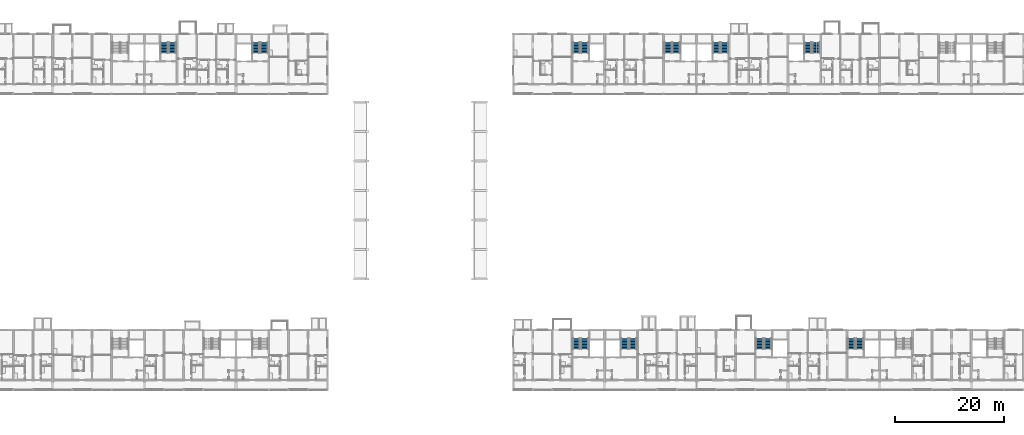
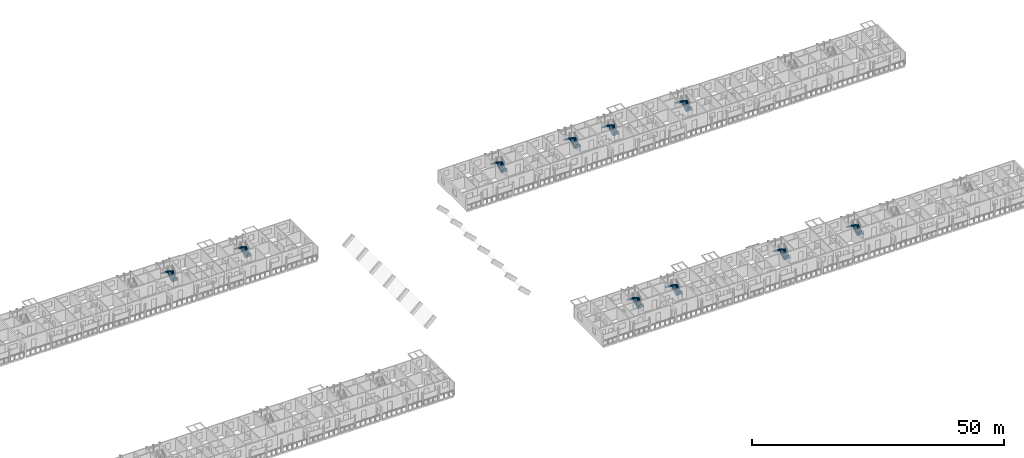
# One storey, part 62 of 98: 20 stair flights, 10 elements without a shape of their own.
"""IFC4 building model written with IfcOpenShell, lengths in metres."""

from ifc_helpers import new_model, si_unit, direction, frame, origin, place, context, subcontext, project, spatial, polyline, outline, extrude, material, type_object, element, aggregate, save


model = new_model("IFC4")

# Units and contexts
model_context = context("Model", 3, precision=1e-05, world=origin(), true_north=direction((0.0, 1.0)))
body_context = subcontext(model_context, "Body", "Model", "MODEL_VIEW")
ifc_project = project(units=[si_unit("LENGTHUNIT", "METRE"), si_unit("AREAUNIT", "SQUARE_METRE"), si_unit("VOLUMEUNIT", "CUBIC_METRE"), si_unit("PLANEANGLEUNIT", "RADIAN"), si_unit("MASSUNIT", "GRAM", prefix="KILO")], contexts=[model_context])

# Site, building, storey
site_placement = place(None, origin())
site = spatial("IfcSite", under=ifc_project, at=site_placement, CompositionType="ELEMENT")
building_placement = place(site_placement, origin())
building = spatial("IfcBuilding", under=site, at=building_placement, Name="Ridgestep Commons", CompositionType="ELEMENT")
storey_placement = place(building_placement, frame((0.0, 0.0, 12.0)))
storey = spatial("IfcBuildingStorey", under=building, at=storey_placement, Name="L04", CompositionType="ELEMENT", Elevation=12.0)

# Stair, stair flights
ifc_material_1 = material(Name="Precast concrete C40/50", Category="concrete")
stair_type = type_object("IfcStairType", Name="Escape stair 1400", PredefinedType="HALF_TURN_STAIR", material=ifc_material_1)
stair_1_placement = place(storey_placement, origin())
stair_1 = element("IfcStair", 1, at=stair_1_placement, inside=storey, type_object=stair_type, Name="L04 Escape stair B5C", PredefinedType="HALF_TURN_STAIR")
ifc_material_2 = material(Name="Precast concrete C40/50", Category="concrete")
stair_flight_type = type_object("IfcStairFlightType", Name="Stair flight 1400", PredefinedType="STRAIGHT", material=ifc_material_2)
stair_flight_1_placement = place(storey_placement, frame((84.375, 73.60009765625, 0.0), z_axis=(0.0, 0.0, 1.0), x_axis=(0.0, 1.0, 0.0)))
stair_flight_1 = element("IfcStairFlight", 2, at=stair_flight_1_placement, type_object=stair_flight_type, Name="B5C flight 1", NumberOfRisers=8, NumberOfTreads=7, PredefinedType="STRAIGHT", RiserHeight=0.1875, TreadLength=0.28, context=body_context, shape_type="SweptSolid", body=[
    extrude(outline(polyline([(0.0, 0.0), (0.0, 0.1875), (0.280029296875, 0.1875), (0.280029296875, 0.375), (0.56005859375, 0.375), (0.56005859375, 0.5625), (0.840087890625, 0.5625), (0.840087890625, 0.75), (1.1201171875, 0.75), (1.1201171875, 0.9375), (1.39990234375, 0.9375), (1.39990234375, 1.125), (1.679931640625, 1.125), (1.679931640625, 1.3125), (1.9599609375, 1.3125), (1.9599609375, 1.5), (1.9599609375, 1.132080078125), (0.26953125, 0.0), (0.0, 0.0)])), frame((0.0, 0.699951171875, 0.0), z_axis=(0.0, -1.0, 0.0), x_axis=(1.0, 0.0, 0.0)), (0.0, 0.0, 1.0), 0.695068359375),
    extrude(outline(polyline([(0.0, 0.0), (0.0, 0.1875), (0.280029296875, 0.1875), (0.280029296875, 0.375), (0.56005859375, 0.375), (0.56005859375, 0.5625), (0.840087890625, 0.5625), (0.840087890625, 0.75), (1.1201171875, 0.75), (1.1201171875, 0.9375), (1.39990234375, 0.9375), (1.39990234375, 1.125), (1.679931640625, 1.125), (1.679931640625, 1.3125), (1.9599609375, 1.3125), (1.9599609375, 1.5), (1.9599609375, 1.132080078125), (0.26953125, 0.0), (0.0, 0.0)])), frame((0.0, -0.0048828125, 0.0), z_axis=(0.0, -1.0, 0.0), x_axis=(1.0, 0.0, 0.0)), (0.0, 0.0, 1.0), 0.695068359375),
])
stair_flight_2_placement = place(storey_placement, frame((82.875, 75.56005859375, 1.5), z_axis=(0.0, 0.0, 1.0), x_axis=(0.0, -1.0, 0.0)))
stair_flight_2 = element("IfcStairFlight", 3, at=stair_flight_2_placement, type_object=stair_flight_type, Name="B5C flight 2", NumberOfRisers=8, NumberOfTreads=7, PredefinedType="STRAIGHT", RiserHeight=0.1875, TreadLength=0.28, context=body_context, shape_type="SweptSolid", body=[
    extrude(outline(polyline([(0.0, 0.0), (0.0, 0.1875), (0.280029296875, 0.1875), (0.280029296875, 0.375), (0.56005859375, 0.375), (0.56005859375, 0.5625), (0.840087890625, 0.5625), (0.840087890625, 0.75), (1.1201171875, 0.75), (1.1201171875, 0.9375), (1.39990234375, 0.9375), (1.39990234375, 1.125), (1.679931640625, 1.125), (1.679931640625, 1.3125), (1.9599609375, 1.3125), (1.9599609375, 1.5), (1.9599609375, 1.132080078125), (0.26953125, 0.0), (0.0, 0.0)])), frame((0.0, 0.699951171875, 0.0), z_axis=(0.0, -1.0, 0.0), x_axis=(1.0, 0.0, 0.0)), (0.0, 0.0, 1.0), 0.695068359375),
    extrude(outline(polyline([(0.0, 0.0), (0.0, 0.1875), (0.280029296875, 0.1875), (0.280029296875, 0.375), (0.56005859375, 0.375), (0.56005859375, 0.5625), (0.840087890625, 0.5625), (0.840087890625, 0.75), (1.1201171875, 0.75), (1.1201171875, 0.9375), (1.39990234375, 0.9375), (1.39990234375, 1.125), (1.679931640625, 1.125), (1.679931640625, 1.3125), (1.9599609375, 1.3125), (1.9599609375, 1.5), (1.9599609375, 1.132080078125), (0.26953125, 0.0), (0.0, 0.0)])), frame((0.0, -0.0048828125, 0.0), z_axis=(0.0, -1.0, 0.0), x_axis=(1.0, 0.0, 0.0)), (0.0, 0.0, 1.0), 0.695068359375),
])
aggregate(stair_1, [stair_flight_1, stair_flight_2])

stair_2_placement = place(storey_placement, origin())
stair_2 = element("IfcStair", 4, at=stair_2_placement, inside=storey, type_object=stair_type, Name="L04 Escape stair B6C", PredefinedType="HALF_TURN_STAIR")
stair_flight_3_placement = place(storey_placement, frame((101.175048828125, 73.60009765625, 0.0), z_axis=(0.0, 0.0, 1.0), x_axis=(0.0, 1.0, 0.0)))
stair_flight_3 = element("IfcStairFlight", 5, at=stair_flight_3_placement, type_object=stair_flight_type, Name="B6C flight 1", NumberOfRisers=8, NumberOfTreads=7, PredefinedType="STRAIGHT", RiserHeight=0.1875, TreadLength=0.28, context=body_context, shape_type="SweptSolid", body=[
    extrude(outline(polyline([(0.0, 0.0), (0.0, 0.1875), (0.280029296875, 0.1875), (0.280029296875, 0.375), (0.56005859375, 0.375), (0.56005859375, 0.5625), (0.840087890625, 0.5625), (0.840087890625, 0.75), (1.1201171875, 0.75), (1.1201171875, 0.9375), (1.39990234375, 0.9375), (1.39990234375, 1.125), (1.679931640625, 1.125), (1.679931640625, 1.3125), (1.9599609375, 1.3125), (1.9599609375, 1.5), (1.9599609375, 1.132080078125), (0.26953125, 0.0), (0.0, 0.0)])), frame((0.0, 0.699951171875, 0.0), z_axis=(0.0, -1.0, 0.0), x_axis=(1.0, 0.0, 0.0)), (0.0, 0.0, 1.0), 0.695068359375),
    extrude(outline(polyline([(0.0, 0.0), (0.0, 0.1875), (0.280029296875, 0.1875), (0.280029296875, 0.375), (0.56005859375, 0.375), (0.56005859375, 0.5625), (0.840087890625, 0.5625), (0.840087890625, 0.75), (1.1201171875, 0.75), (1.1201171875, 0.9375), (1.39990234375, 0.9375), (1.39990234375, 1.125), (1.679931640625, 1.125), (1.679931640625, 1.3125), (1.9599609375, 1.3125), (1.9599609375, 1.5), (1.9599609375, 1.132080078125), (0.26953125, 0.0), (0.0, 0.0)])), frame((0.0, -0.0048828125, 0.0), z_axis=(0.0, -1.0, 0.0), x_axis=(1.0, 0.0, 0.0)), (0.0, 0.0, 1.0), 0.695068359375),
])
stair_flight_4_placement = place(storey_placement, frame((99.675048828125, 75.56005859375, 1.5), z_axis=(0.0, 0.0, 1.0), x_axis=(0.0, -1.0, 0.0)))
stair_flight_4 = element("IfcStairFlight", 6, at=stair_flight_4_placement, type_object=stair_flight_type, Name="B6C flight 2", NumberOfRisers=8, NumberOfTreads=7, PredefinedType="STRAIGHT", RiserHeight=0.1875, TreadLength=0.28, context=body_context, shape_type="SweptSolid", body=[
    extrude(outline(polyline([(0.0, 0.0), (0.0, 0.1875), (0.280029296875, 0.1875), (0.280029296875, 0.375), (0.56005859375, 0.375), (0.56005859375, 0.5625), (0.840087890625, 0.5625), (0.840087890625, 0.75), (1.1201171875, 0.75), (1.1201171875, 0.9375), (1.39990234375, 0.9375), (1.39990234375, 1.125), (1.679931640625, 1.125), (1.679931640625, 1.3125), (1.9599609375, 1.3125), (1.9599609375, 1.5), (1.9599609375, 1.132080078125), (0.26953125, 0.0), (0.0, 0.0)])), frame((0.0, 0.699951171875, 0.0), z_axis=(0.0, -1.0, 0.0), x_axis=(1.0, 0.0, 0.0)), (0.0, 0.0, 1.0), 0.695068359375),
    extrude(outline(polyline([(0.0, 0.0), (0.0, 0.1875), (0.280029296875, 0.1875), (0.280029296875, 0.375), (0.56005859375, 0.375), (0.56005859375, 0.5625), (0.840087890625, 0.5625), (0.840087890625, 0.75), (1.1201171875, 0.75), (1.1201171875, 0.9375), (1.39990234375, 0.9375), (1.39990234375, 1.125), (1.679931640625, 1.125), (1.679931640625, 1.3125), (1.9599609375, 1.3125), (1.9599609375, 1.5), (1.9599609375, 1.132080078125), (0.26953125, 0.0), (0.0, 0.0)])), frame((0.0, -0.0048828125, 0.0), z_axis=(0.0, -1.0, 0.0), x_axis=(1.0, 0.0, 0.0)), (0.0, 0.0, 1.0), 0.695068359375),
])
aggregate(stair_2, [stair_flight_3, stair_flight_4])

stair_3_placement = place(storey_placement, origin())
stair_3 = element("IfcStair", 7, at=stair_3_placement, inside=storey, type_object=stair_type, Name="L04 Escape stair C1C", PredefinedType="HALF_TURN_STAIR")
stair_flight_5_placement = place(storey_placement, frame((159.925048828125, 73.60009765625, 0.0), z_axis=(0.0, 0.0, 1.0), x_axis=(0.0, 1.0, 0.0)))
stair_flight_5 = element("IfcStairFlight", 8, at=stair_flight_5_placement, type_object=stair_flight_type, Name="C1C flight 1", NumberOfRisers=8, NumberOfTreads=7, PredefinedType="STRAIGHT", RiserHeight=0.1875, TreadLength=0.28, context=body_context, shape_type="SweptSolid", body=[
    extrude(outline(polyline([(0.0, 0.0), (0.0, 0.1875), (0.280029296875, 0.1875), (0.280029296875, 0.375), (0.56005859375, 0.375), (0.56005859375, 0.5625), (0.840087890625, 0.5625), (0.840087890625, 0.75), (1.1201171875, 0.75), (1.1201171875, 0.9375), (1.39990234375, 0.9375), (1.39990234375, 1.125), (1.679931640625, 1.125), (1.679931640625, 1.3125), (1.9599609375, 1.3125), (1.9599609375, 1.5), (1.9599609375, 1.132080078125), (0.26953125, 0.0), (0.0, 0.0)])), frame((0.0, 0.699951171875, 0.0), z_axis=(0.0, -1.0, 0.0), x_axis=(1.0, 0.0, 0.0)), (0.0, 0.0, 1.0), 0.695068359375),
    extrude(outline(polyline([(0.0, 0.0), (0.0, 0.1875), (0.280029296875, 0.1875), (0.280029296875, 0.375), (0.56005859375, 0.375), (0.56005859375, 0.5625), (0.840087890625, 0.5625), (0.840087890625, 0.75), (1.1201171875, 0.75), (1.1201171875, 0.9375), (1.39990234375, 0.9375), (1.39990234375, 1.125), (1.679931640625, 1.125), (1.679931640625, 1.3125), (1.9599609375, 1.3125), (1.9599609375, 1.5), (1.9599609375, 1.132080078125), (0.26953125, 0.0), (0.0, 0.0)])), frame((0.0, -0.0048828125, 0.0), z_axis=(0.0, -1.0, 0.0), x_axis=(1.0, 0.0, 0.0)), (0.0, 0.0, 1.0), 0.695068359375),
])
stair_flight_6_placement = place(storey_placement, frame((158.425048828125, 75.56005859375, 1.5), z_axis=(0.0, 0.0, 1.0), x_axis=(0.0, -1.0, 0.0)))
stair_flight_6 = element("IfcStairFlight", 9, at=stair_flight_6_placement, type_object=stair_flight_type, Name="C1C flight 2", NumberOfRisers=8, NumberOfTreads=7, PredefinedType="STRAIGHT", RiserHeight=0.1875, TreadLength=0.28, context=body_context, shape_type="SweptSolid", body=[
    extrude(outline(polyline([(0.0, 0.0), (0.0, 0.1875), (0.280029296875, 0.1875), (0.280029296875, 0.375), (0.56005859375, 0.375), (0.56005859375, 0.5625), (0.840087890625, 0.5625), (0.840087890625, 0.75), (1.1201171875, 0.75), (1.1201171875, 0.9375), (1.39990234375, 0.9375), (1.39990234375, 1.125), (1.679931640625, 1.125), (1.679931640625, 1.3125), (1.9599609375, 1.3125), (1.9599609375, 1.5), (1.9599609375, 1.132080078125), (0.26953125, 0.0), (0.0, 0.0)])), frame((0.0, 0.699951171875, 0.0), z_axis=(0.0, -1.0, 0.0), x_axis=(1.0, 0.0, 0.0)), (0.0, 0.0, 1.0), 0.695068359375),
    extrude(outline(polyline([(0.0, 0.0), (0.0, 0.1875), (0.280029296875, 0.1875), (0.280029296875, 0.375), (0.56005859375, 0.375), (0.56005859375, 0.5625), (0.840087890625, 0.5625), (0.840087890625, 0.75), (1.1201171875, 0.75), (1.1201171875, 0.9375), (1.39990234375, 0.9375), (1.39990234375, 1.125), (1.679931640625, 1.125), (1.679931640625, 1.3125), (1.9599609375, 1.3125), (1.9599609375, 1.5), (1.9599609375, 1.132080078125), (0.26953125, 0.0), (0.0, 0.0)])), frame((0.0, -0.0048828125, 0.0), z_axis=(0.0, -1.0, 0.0), x_axis=(1.0, 0.0, 0.0)), (0.0, 0.0, 1.0), 0.695068359375),
])
aggregate(stair_3, [stair_flight_5, stair_flight_6])

stair_4_placement = place(storey_placement, origin())
stair_4 = element("IfcStair", 10, at=stair_4_placement, inside=storey, type_object=stair_type, Name="L04 Escape stair C2C", PredefinedType="HALF_TURN_STAIR")
stair_flight_7_placement = place(storey_placement, frame((176.72509765625, 73.60009765625, 0.0), z_axis=(0.0, 0.0, 1.0), x_axis=(0.0, 1.0, 0.0)))
stair_flight_7 = element("IfcStairFlight", 11, at=stair_flight_7_placement, type_object=stair_flight_type, Name="C2C flight 1", NumberOfRisers=8, NumberOfTreads=7, PredefinedType="STRAIGHT", RiserHeight=0.1875, TreadLength=0.28, context=body_context, shape_type="SweptSolid", body=[
    extrude(outline(polyline([(0.0, 0.0), (0.0, 0.1875), (0.280029296875, 0.1875), (0.280029296875, 0.375), (0.56005859375, 0.375), (0.56005859375, 0.5625), (0.840087890625, 0.5625), (0.840087890625, 0.75), (1.1201171875, 0.75), (1.1201171875, 0.9375), (1.39990234375, 0.9375), (1.39990234375, 1.125), (1.679931640625, 1.125), (1.679931640625, 1.3125), (1.9599609375, 1.3125), (1.9599609375, 1.5), (1.9599609375, 1.132080078125), (0.26953125, 0.0), (0.0, 0.0)])), frame((0.0, 0.699951171875, 0.0), z_axis=(0.0, -1.0, 0.0), x_axis=(1.0, 0.0, 0.0)), (0.0, 0.0, 1.0), 0.695068359375),
    extrude(outline(polyline([(0.0, 0.0), (0.0, 0.1875), (0.280029296875, 0.1875), (0.280029296875, 0.375), (0.56005859375, 0.375), (0.56005859375, 0.5625), (0.840087890625, 0.5625), (0.840087890625, 0.75), (1.1201171875, 0.75), (1.1201171875, 0.9375), (1.39990234375, 0.9375), (1.39990234375, 1.125), (1.679931640625, 1.125), (1.679931640625, 1.3125), (1.9599609375, 1.3125), (1.9599609375, 1.5), (1.9599609375, 1.132080078125), (0.26953125, 0.0), (0.0, 0.0)])), frame((0.0, -0.0048828125, 0.0), z_axis=(0.0, -1.0, 0.0), x_axis=(1.0, 0.0, 0.0)), (0.0, 0.0, 1.0), 0.695068359375),
])
stair_flight_8_placement = place(storey_placement, frame((175.22509765625, 75.56005859375, 1.5), z_axis=(0.0, 0.0, 1.0), x_axis=(0.0, -1.0, 0.0)))
stair_flight_8 = element("IfcStairFlight", 12, at=stair_flight_8_placement, type_object=stair_flight_type, Name="C2C flight 2", NumberOfRisers=8, NumberOfTreads=7, PredefinedType="STRAIGHT", RiserHeight=0.1875, TreadLength=0.28, context=body_context, shape_type="SweptSolid", body=[
    extrude(outline(polyline([(0.0, 0.0), (0.0, 0.1875), (0.280029296875, 0.1875), (0.280029296875, 0.375), (0.56005859375, 0.375), (0.56005859375, 0.5625), (0.840087890625, 0.5625), (0.840087890625, 0.75), (1.1201171875, 0.75), (1.1201171875, 0.9375), (1.39990234375, 0.9375), (1.39990234375, 1.125), (1.679931640625, 1.125), (1.679931640625, 1.3125), (1.9599609375, 1.3125), (1.9599609375, 1.5), (1.9599609375, 1.132080078125), (0.26953125, 0.0), (0.0, 0.0)])), frame((0.0, 0.699951171875, 0.0), z_axis=(0.0, -1.0, 0.0), x_axis=(1.0, 0.0, 0.0)), (0.0, 0.0, 1.0), 0.695068359375),
    extrude(outline(polyline([(0.0, 0.0), (0.0, 0.1875), (0.280029296875, 0.1875), (0.280029296875, 0.375), (0.56005859375, 0.375), (0.56005859375, 0.5625), (0.840087890625, 0.5625), (0.840087890625, 0.75), (1.1201171875, 0.75), (1.1201171875, 0.9375), (1.39990234375, 0.9375), (1.39990234375, 1.125), (1.679931640625, 1.125), (1.679931640625, 1.3125), (1.9599609375, 1.3125), (1.9599609375, 1.5), (1.9599609375, 1.132080078125), (0.26953125, 0.0), (0.0, 0.0)])), frame((0.0, -0.0048828125, 0.0), z_axis=(0.0, -1.0, 0.0), x_axis=(1.0, 0.0, 0.0)), (0.0, 0.0, 1.0), 0.695068359375),
])
aggregate(stair_4, [stair_flight_7, stair_flight_8])

stair_5_placement = place(storey_placement, origin())
stair_5 = element("IfcStair", 13, at=stair_5_placement, inside=storey, type_object=stair_type, Name="L04 Escape stair C3C", PredefinedType="HALF_TURN_STAIR")
stair_flight_9_placement = place(storey_placement, frame((185.574951171875, 73.60009765625, 0.0), z_axis=(0.0, 0.0, 1.0), x_axis=(0.0, 1.0, 0.0)))
stair_flight_9 = element("IfcStairFlight", 14, at=stair_flight_9_placement, type_object=stair_flight_type, Name="C3C flight 1", NumberOfRisers=8, NumberOfTreads=7, PredefinedType="STRAIGHT", RiserHeight=0.1875, TreadLength=0.28, context=body_context, shape_type="SweptSolid", body=[
    extrude(outline(polyline([(0.0, 0.0), (0.0, 0.1875), (0.280029296875, 0.1875), (0.280029296875, 0.375), (0.56005859375, 0.375), (0.56005859375, 0.5625), (0.840087890625, 0.5625), (0.840087890625, 0.75), (1.1201171875, 0.75), (1.1201171875, 0.9375), (1.39990234375, 0.9375), (1.39990234375, 1.125), (1.679931640625, 1.125), (1.679931640625, 1.3125), (1.9599609375, 1.3125), (1.9599609375, 1.5), (1.9599609375, 1.132080078125), (0.26953125, 0.0), (0.0, 0.0)])), frame((0.0, 0.699951171875, 0.0), z_axis=(0.0, -1.0, 0.0), x_axis=(1.0, 0.0, 0.0)), (0.0, 0.0, 1.0), 0.695068359375),
    extrude(outline(polyline([(0.0, 0.0), (0.0, 0.1875), (0.280029296875, 0.1875), (0.280029296875, 0.375), (0.56005859375, 0.375), (0.56005859375, 0.5625), (0.840087890625, 0.5625), (0.840087890625, 0.75), (1.1201171875, 0.75), (1.1201171875, 0.9375), (1.39990234375, 0.9375), (1.39990234375, 1.125), (1.679931640625, 1.125), (1.679931640625, 1.3125), (1.9599609375, 1.3125), (1.9599609375, 1.5), (1.9599609375, 1.132080078125), (0.26953125, 0.0), (0.0, 0.0)])), frame((0.0, -0.0048828125, 0.0), z_axis=(0.0, -1.0, 0.0), x_axis=(1.0, 0.0, 0.0)), (0.0, 0.0, 1.0), 0.695068359375),
])
stair_flight_10_placement = place(storey_placement, frame((184.074951171875, 75.56005859375, 1.5), z_axis=(0.0, 0.0, 1.0), x_axis=(0.0, -1.0, 0.0)))
stair_flight_10 = element("IfcStairFlight", 15, at=stair_flight_10_placement, type_object=stair_flight_type, Name="C3C flight 2", NumberOfRisers=8, NumberOfTreads=7, PredefinedType="STRAIGHT", RiserHeight=0.1875, TreadLength=0.28, context=body_context, shape_type="SweptSolid", body=[
    extrude(outline(polyline([(0.0, 0.0), (0.0, 0.1875), (0.280029296875, 0.1875), (0.280029296875, 0.375), (0.56005859375, 0.375), (0.56005859375, 0.5625), (0.840087890625, 0.5625), (0.840087890625, 0.75), (1.1201171875, 0.75), (1.1201171875, 0.9375), (1.39990234375, 0.9375), (1.39990234375, 1.125), (1.679931640625, 1.125), (1.679931640625, 1.3125), (1.9599609375, 1.3125), (1.9599609375, 1.5), (1.9599609375, 1.132080078125), (0.26953125, 0.0), (0.0, 0.0)])), frame((0.0, 0.699951171875, 0.0), z_axis=(0.0, -1.0, 0.0), x_axis=(1.0, 0.0, 0.0)), (0.0, 0.0, 1.0), 0.695068359375),
    extrude(outline(polyline([(0.0, 0.0), (0.0, 0.1875), (0.280029296875, 0.1875), (0.280029296875, 0.375), (0.56005859375, 0.375), (0.56005859375, 0.5625), (0.840087890625, 0.5625), (0.840087890625, 0.75), (1.1201171875, 0.75), (1.1201171875, 0.9375), (1.39990234375, 0.9375), (1.39990234375, 1.125), (1.679931640625, 1.125), (1.679931640625, 1.3125), (1.9599609375, 1.3125), (1.9599609375, 1.5), (1.9599609375, 1.132080078125), (0.26953125, 0.0), (0.0, 0.0)])), frame((0.0, -0.0048828125, 0.0), z_axis=(0.0, -1.0, 0.0), x_axis=(1.0, 0.0, 0.0)), (0.0, 0.0, 1.0), 0.695068359375),
])
aggregate(stair_5, [stair_flight_9, stair_flight_10])

stair_6_placement = place(storey_placement, origin())
stair_6 = element("IfcStair", 16, at=stair_6_placement, inside=storey, type_object=stair_type, Name="L04 Escape stair C4C", PredefinedType="HALF_TURN_STAIR")
stair_flight_11_placement = place(storey_placement, frame((202.375, 73.60009765625, 0.0), z_axis=(0.0, 0.0, 1.0), x_axis=(0.0, 1.0, 0.0)))
stair_flight_11 = element("IfcStairFlight", 17, at=stair_flight_11_placement, type_object=stair_flight_type, Name="C4C flight 1", NumberOfRisers=8, NumberOfTreads=7, PredefinedType="STRAIGHT", RiserHeight=0.1875, TreadLength=0.28, context=body_context, shape_type="SweptSolid", body=[
    extrude(outline(polyline([(0.0, 0.0), (0.0, 0.1875), (0.280029296875, 0.1875), (0.280029296875, 0.375), (0.56005859375, 0.375), (0.56005859375, 0.5625), (0.840087890625, 0.5625), (0.840087890625, 0.75), (1.1201171875, 0.75), (1.1201171875, 0.9375), (1.39990234375, 0.9375), (1.39990234375, 1.125), (1.679931640625, 1.125), (1.679931640625, 1.3125), (1.9599609375, 1.3125), (1.9599609375, 1.5), (1.9599609375, 1.132080078125), (0.26953125, 0.0), (0.0, 0.0)])), frame((0.0, 0.699951171875, 0.0), z_axis=(0.0, -1.0, 0.0), x_axis=(1.0, 0.0, 0.0)), (0.0, 0.0, 1.0), 0.695068359375),
    extrude(outline(polyline([(0.0, 0.0), (0.0, 0.1875), (0.280029296875, 0.1875), (0.280029296875, 0.375), (0.56005859375, 0.375), (0.56005859375, 0.5625), (0.840087890625, 0.5625), (0.840087890625, 0.75), (1.1201171875, 0.75), (1.1201171875, 0.9375), (1.39990234375, 0.9375), (1.39990234375, 1.125), (1.679931640625, 1.125), (1.679931640625, 1.3125), (1.9599609375, 1.3125), (1.9599609375, 1.5), (1.9599609375, 1.132080078125), (0.26953125, 0.0), (0.0, 0.0)])), frame((0.0, -0.0048828125, 0.0), z_axis=(0.0, -1.0, 0.0), x_axis=(1.0, 0.0, 0.0)), (0.0, 0.0, 1.0), 0.695068359375),
])
stair_flight_12_placement = place(storey_placement, frame((200.875, 75.56005859375, 1.5), z_axis=(0.0, 0.0, 1.0), x_axis=(0.0, -1.0, 0.0)))
stair_flight_12 = element("IfcStairFlight", 18, at=stair_flight_12_placement, type_object=stair_flight_type, Name="C4C flight 2", NumberOfRisers=8, NumberOfTreads=7, PredefinedType="STRAIGHT", RiserHeight=0.1875, TreadLength=0.28, context=body_context, shape_type="SweptSolid", body=[
    extrude(outline(polyline([(0.0, 0.0), (0.0, 0.1875), (0.280029296875, 0.1875), (0.280029296875, 0.375), (0.56005859375, 0.375), (0.56005859375, 0.5625), (0.840087890625, 0.5625), (0.840087890625, 0.75), (1.1201171875, 0.75), (1.1201171875, 0.9375), (1.39990234375, 0.9375), (1.39990234375, 1.125), (1.679931640625, 1.125), (1.679931640625, 1.3125), (1.9599609375, 1.3125), (1.9599609375, 1.5), (1.9599609375, 1.132080078125), (0.26953125, 0.0), (0.0, 0.0)])), frame((0.0, 0.699951171875, 0.0), z_axis=(0.0, -1.0, 0.0), x_axis=(1.0, 0.0, 0.0)), (0.0, 0.0, 1.0), 0.695068359375),
    extrude(outline(polyline([(0.0, 0.0), (0.0, 0.1875), (0.280029296875, 0.1875), (0.280029296875, 0.375), (0.56005859375, 0.375), (0.56005859375, 0.5625), (0.840087890625, 0.5625), (0.840087890625, 0.75), (1.1201171875, 0.75), (1.1201171875, 0.9375), (1.39990234375, 0.9375), (1.39990234375, 1.125), (1.679931640625, 1.125), (1.679931640625, 1.3125), (1.9599609375, 1.3125), (1.9599609375, 1.5), (1.9599609375, 1.132080078125), (0.26953125, 0.0), (0.0, 0.0)])), frame((0.0, -0.0048828125, 0.0), z_axis=(0.0, -1.0, 0.0), x_axis=(1.0, 0.0, 0.0)), (0.0, 0.0, 1.0), 0.695068359375),
])
aggregate(stair_6, [stair_flight_11, stair_flight_12])

stair_7_placement = place(storey_placement, origin())
stair_7 = element("IfcStair", 19, at=stair_7_placement, inside=storey, type_object=stair_type, Name="L04 Escape stair D1C", PredefinedType="HALF_TURN_STAIR")
stair_flight_13_placement = place(storey_placement, frame((159.925048828125, 19.35009765625, 0.0), z_axis=(0.0, 0.0, 1.0), x_axis=(0.0, 1.0, 0.0)))
stair_flight_13 = element("IfcStairFlight", 20, at=stair_flight_13_placement, type_object=stair_flight_type, Name="D1C flight 1", NumberOfRisers=8, NumberOfTreads=7, PredefinedType="STRAIGHT", RiserHeight=0.1875, TreadLength=0.28, context=body_context, shape_type="SweptSolid", body=[
    extrude(outline(polyline([(0.0, 0.0), (0.0, 0.1875), (0.280029296875, 0.1875), (0.280029296875, 0.375), (0.56005859375, 0.375), (0.56005859375, 0.5625), (0.840087890625, 0.5625), (0.840087890625, 0.75), (1.1201171875, 0.75), (1.1201171875, 0.9375), (1.39990234375, 0.9375), (1.39990234375, 1.125), (1.679931640625, 1.125), (1.679931640625, 1.3125), (1.9599609375, 1.3125), (1.9599609375, 1.5), (1.9599609375, 1.132080078125), (0.26953125, 0.0), (0.0, 0.0)])), frame((0.0, 0.699951171875, 0.0), z_axis=(0.0, -1.0, 0.0), x_axis=(1.0, 0.0, 0.0)), (0.0, 0.0, 1.0), 0.695068359375),
    extrude(outline(polyline([(0.0, 0.0), (0.0, 0.1875), (0.280029296875, 0.1875), (0.280029296875, 0.375), (0.56005859375, 0.375), (0.56005859375, 0.5625), (0.840087890625, 0.5625), (0.840087890625, 0.75), (1.1201171875, 0.75), (1.1201171875, 0.9375), (1.39990234375, 0.9375), (1.39990234375, 1.125), (1.679931640625, 1.125), (1.679931640625, 1.3125), (1.9599609375, 1.3125), (1.9599609375, 1.5), (1.9599609375, 1.132080078125), (0.26953125, 0.0), (0.0, 0.0)])), frame((0.0, -0.0048828125, 0.0), z_axis=(0.0, -1.0, 0.0), x_axis=(1.0, 0.0, 0.0)), (0.0, 0.0, 1.0), 0.695068359375),
])
stair_flight_14_placement = place(storey_placement, frame((158.425048828125, 21.31005859375, 1.5), z_axis=(0.0, 0.0, 1.0), x_axis=(0.0, -1.0, 0.0)))
stair_flight_14 = element("IfcStairFlight", 21, at=stair_flight_14_placement, type_object=stair_flight_type, Name="D1C flight 2", NumberOfRisers=8, NumberOfTreads=7, PredefinedType="STRAIGHT", RiserHeight=0.1875, TreadLength=0.28, context=body_context, shape_type="SweptSolid", body=[
    extrude(outline(polyline([(0.0, 0.0), (0.0, 0.1875), (0.280029296875, 0.1875), (0.280029296875, 0.375), (0.56005859375, 0.375), (0.56005859375, 0.5625), (0.840087890625, 0.5625), (0.840087890625, 0.75), (1.1201171875, 0.75), (1.1201171875, 0.9375), (1.39990234375, 0.9375), (1.39990234375, 1.125), (1.679931640625, 1.125), (1.679931640625, 1.3125), (1.9599609375, 1.3125), (1.9599609375, 1.5), (1.9599609375, 1.132080078125), (0.26953125, 0.0), (0.0, 0.0)])), frame((0.0, 0.699951171875, 0.0), z_axis=(0.0, -1.0, 0.0), x_axis=(1.0, 0.0, 0.0)), (0.0, 0.0, 1.0), 0.695068359375),
    extrude(outline(polyline([(0.0, 0.0), (0.0, 0.1875), (0.280029296875, 0.1875), (0.280029296875, 0.375), (0.56005859375, 0.375), (0.56005859375, 0.5625), (0.840087890625, 0.5625), (0.840087890625, 0.75), (1.1201171875, 0.75), (1.1201171875, 0.9375), (1.39990234375, 0.9375), (1.39990234375, 1.125), (1.679931640625, 1.125), (1.679931640625, 1.3125), (1.9599609375, 1.3125), (1.9599609375, 1.5), (1.9599609375, 1.132080078125), (0.26953125, 0.0), (0.0, 0.0)])), frame((0.0, -0.0048828125, 0.0), z_axis=(0.0, -1.0, 0.0), x_axis=(1.0, 0.0, 0.0)), (0.0, 0.0, 1.0), 0.695068359375),
])
aggregate(stair_7, [stair_flight_13, stair_flight_14])

stair_8_placement = place(storey_placement, origin())
stair_8 = element("IfcStair", 22, at=stair_8_placement, inside=storey, type_object=stair_type, Name="L04 Escape stair D2C", PredefinedType="HALF_TURN_STAIR")
stair_flight_15_placement = place(storey_placement, frame((168.77490234375, 19.35009765625, 0.0), z_axis=(0.0, 0.0, 1.0), x_axis=(0.0, 1.0, 0.0)))
stair_flight_15 = element("IfcStairFlight", 23, at=stair_flight_15_placement, type_object=stair_flight_type, Name="D2C flight 1", NumberOfRisers=8, NumberOfTreads=7, PredefinedType="STRAIGHT", RiserHeight=0.1875, TreadLength=0.28, context=body_context, shape_type="SweptSolid", body=[
    extrude(outline(polyline([(0.0, 0.0), (0.0, 0.1875), (0.280029296875, 0.1875), (0.280029296875, 0.375), (0.56005859375, 0.375), (0.56005859375, 0.5625), (0.840087890625, 0.5625), (0.840087890625, 0.75), (1.1201171875, 0.75), (1.1201171875, 0.9375), (1.39990234375, 0.9375), (1.39990234375, 1.125), (1.679931640625, 1.125), (1.679931640625, 1.3125), (1.9599609375, 1.3125), (1.9599609375, 1.5), (1.9599609375, 1.132080078125), (0.26953125, 0.0), (0.0, 0.0)])), frame((0.0, 0.699951171875, 0.0), z_axis=(0.0, -1.0, 0.0), x_axis=(1.0, 0.0, 0.0)), (0.0, 0.0, 1.0), 0.695068359375),
    extrude(outline(polyline([(0.0, 0.0), (0.0, 0.1875), (0.280029296875, 0.1875), (0.280029296875, 0.375), (0.56005859375, 0.375), (0.56005859375, 0.5625), (0.840087890625, 0.5625), (0.840087890625, 0.75), (1.1201171875, 0.75), (1.1201171875, 0.9375), (1.39990234375, 0.9375), (1.39990234375, 1.125), (1.679931640625, 1.125), (1.679931640625, 1.3125), (1.9599609375, 1.3125), (1.9599609375, 1.5), (1.9599609375, 1.132080078125), (0.26953125, 0.0), (0.0, 0.0)])), frame((0.0, -0.0048828125, 0.0), z_axis=(0.0, -1.0, 0.0), x_axis=(1.0, 0.0, 0.0)), (0.0, 0.0, 1.0), 0.695068359375),
])
stair_flight_16_placement = place(storey_placement, frame((167.27490234375, 21.31005859375, 1.5), z_axis=(0.0, 0.0, 1.0), x_axis=(0.0, -1.0, 0.0)))
stair_flight_16 = element("IfcStairFlight", 24, at=stair_flight_16_placement, type_object=stair_flight_type, Name="D2C flight 2", NumberOfRisers=8, NumberOfTreads=7, PredefinedType="STRAIGHT", RiserHeight=0.1875, TreadLength=0.28, context=body_context, shape_type="SweptSolid", body=[
    extrude(outline(polyline([(0.0, 0.0), (0.0, 0.1875), (0.280029296875, 0.1875), (0.280029296875, 0.375), (0.56005859375, 0.375), (0.56005859375, 0.5625), (0.840087890625, 0.5625), (0.840087890625, 0.75), (1.1201171875, 0.75), (1.1201171875, 0.9375), (1.39990234375, 0.9375), (1.39990234375, 1.125), (1.679931640625, 1.125), (1.679931640625, 1.3125), (1.9599609375, 1.3125), (1.9599609375, 1.5), (1.9599609375, 1.132080078125), (0.26953125, 0.0), (0.0, 0.0)])), frame((0.0, 0.699951171875, 0.0), z_axis=(0.0, -1.0, 0.0), x_axis=(1.0, 0.0, 0.0)), (0.0, 0.0, 1.0), 0.695068359375),
    extrude(outline(polyline([(0.0, 0.0), (0.0, 0.1875), (0.280029296875, 0.1875), (0.280029296875, 0.375), (0.56005859375, 0.375), (0.56005859375, 0.5625), (0.840087890625, 0.5625), (0.840087890625, 0.75), (1.1201171875, 0.75), (1.1201171875, 0.9375), (1.39990234375, 0.9375), (1.39990234375, 1.125), (1.679931640625, 1.125), (1.679931640625, 1.3125), (1.9599609375, 1.3125), (1.9599609375, 1.5), (1.9599609375, 1.132080078125), (0.26953125, 0.0), (0.0, 0.0)])), frame((0.0, -0.0048828125, 0.0), z_axis=(0.0, -1.0, 0.0), x_axis=(1.0, 0.0, 0.0)), (0.0, 0.0, 1.0), 0.695068359375),
])
aggregate(stair_8, [stair_flight_15, stair_flight_16])

stair_9_placement = place(storey_placement, origin())
stair_9 = element("IfcStair", 25, at=stair_9_placement, inside=storey, type_object=stair_type, Name="L04 Escape stair D3C", PredefinedType="HALF_TURN_STAIR")
stair_flight_17_placement = place(storey_placement, frame((193.52490234375, 19.35009765625, 0.0), z_axis=(0.0, 0.0, 1.0), x_axis=(0.0, 1.0, 0.0)))
stair_flight_17 = element("IfcStairFlight", 26, at=stair_flight_17_placement, type_object=stair_flight_type, Name="D3C flight 1", NumberOfRisers=8, NumberOfTreads=7, PredefinedType="STRAIGHT", RiserHeight=0.1875, TreadLength=0.28, context=body_context, shape_type="SweptSolid", body=[
    extrude(outline(polyline([(0.0, 0.0), (0.0, 0.1875), (0.280029296875, 0.1875), (0.280029296875, 0.375), (0.56005859375, 0.375), (0.56005859375, 0.5625), (0.840087890625, 0.5625), (0.840087890625, 0.75), (1.1201171875, 0.75), (1.1201171875, 0.9375), (1.39990234375, 0.9375), (1.39990234375, 1.125), (1.679931640625, 1.125), (1.679931640625, 1.3125), (1.9599609375, 1.3125), (1.9599609375, 1.5), (1.9599609375, 1.132080078125), (0.26953125, 0.0), (0.0, 0.0)])), frame((0.0, 0.699951171875, 0.0), z_axis=(0.0, -1.0, 0.0), x_axis=(1.0, 0.0, 0.0)), (0.0, 0.0, 1.0), 0.695068359375),
    extrude(outline(polyline([(0.0, 0.0), (0.0, 0.1875), (0.280029296875, 0.1875), (0.280029296875, 0.375), (0.56005859375, 0.375), (0.56005859375, 0.5625), (0.840087890625, 0.5625), (0.840087890625, 0.75), (1.1201171875, 0.75), (1.1201171875, 0.9375), (1.39990234375, 0.9375), (1.39990234375, 1.125), (1.679931640625, 1.125), (1.679931640625, 1.3125), (1.9599609375, 1.3125), (1.9599609375, 1.5), (1.9599609375, 1.132080078125), (0.26953125, 0.0), (0.0, 0.0)])), frame((0.0, -0.0048828125, 0.0), z_axis=(0.0, -1.0, 0.0), x_axis=(1.0, 0.0, 0.0)), (0.0, 0.0, 1.0), 0.695068359375),
])
stair_flight_18_placement = place(storey_placement, frame((192.02490234375, 21.31005859375, 1.5), z_axis=(0.0, 0.0, 1.0), x_axis=(0.0, -1.0, 0.0)))
stair_flight_18 = element("IfcStairFlight", 27, at=stair_flight_18_placement, type_object=stair_flight_type, Name="D3C flight 2", NumberOfRisers=8, NumberOfTreads=7, PredefinedType="STRAIGHT", RiserHeight=0.1875, TreadLength=0.28, context=body_context, shape_type="SweptSolid", body=[
    extrude(outline(polyline([(0.0, 0.0), (0.0, 0.1875), (0.280029296875, 0.1875), (0.280029296875, 0.375), (0.56005859375, 0.375), (0.56005859375, 0.5625), (0.840087890625, 0.5625), (0.840087890625, 0.75), (1.1201171875, 0.75), (1.1201171875, 0.9375), (1.39990234375, 0.9375), (1.39990234375, 1.125), (1.679931640625, 1.125), (1.679931640625, 1.3125), (1.9599609375, 1.3125), (1.9599609375, 1.5), (1.9599609375, 1.132080078125), (0.26953125, 0.0), (0.0, 0.0)])), frame((0.0, 0.699951171875, 0.0), z_axis=(0.0, -1.0, 0.0), x_axis=(1.0, 0.0, 0.0)), (0.0, 0.0, 1.0), 0.695068359375),
    extrude(outline(polyline([(0.0, 0.0), (0.0, 0.1875), (0.280029296875, 0.1875), (0.280029296875, 0.375), (0.56005859375, 0.375), (0.56005859375, 0.5625), (0.840087890625, 0.5625), (0.840087890625, 0.75), (1.1201171875, 0.75), (1.1201171875, 0.9375), (1.39990234375, 0.9375), (1.39990234375, 1.125), (1.679931640625, 1.125), (1.679931640625, 1.3125), (1.9599609375, 1.3125), (1.9599609375, 1.5), (1.9599609375, 1.132080078125), (0.26953125, 0.0), (0.0, 0.0)])), frame((0.0, -0.0048828125, 0.0), z_axis=(0.0, -1.0, 0.0), x_axis=(1.0, 0.0, 0.0)), (0.0, 0.0, 1.0), 0.695068359375),
])
aggregate(stair_9, [stair_flight_17, stair_flight_18])

stair_10_placement = place(storey_placement, origin())
stair_10 = element("IfcStair", 28, at=stair_10_placement, inside=storey, type_object=stair_type, Name="L04 Escape stair D4C", PredefinedType="HALF_TURN_STAIR")
stair_flight_19_placement = place(storey_placement, frame((210.324951171875, 19.35009765625, 0.0), z_axis=(0.0, 0.0, 1.0), x_axis=(0.0, 1.0, 0.0)))
stair_flight_19 = element("IfcStairFlight", 29, at=stair_flight_19_placement, type_object=stair_flight_type, Name="D4C flight 1", NumberOfRisers=8, NumberOfTreads=7, PredefinedType="STRAIGHT", RiserHeight=0.1875, TreadLength=0.28, context=body_context, shape_type="SweptSolid", body=[
    extrude(outline(polyline([(0.0, 0.0), (0.0, 0.1875), (0.280029296875, 0.1875), (0.280029296875, 0.375), (0.56005859375, 0.375), (0.56005859375, 0.5625), (0.840087890625, 0.5625), (0.840087890625, 0.75), (1.1201171875, 0.75), (1.1201171875, 0.9375), (1.39990234375, 0.9375), (1.39990234375, 1.125), (1.679931640625, 1.125), (1.679931640625, 1.3125), (1.9599609375, 1.3125), (1.9599609375, 1.5), (1.9599609375, 1.132080078125), (0.26953125, 0.0), (0.0, 0.0)])), frame((0.0, 0.699951171875, 0.0), z_axis=(0.0, -1.0, 0.0), x_axis=(1.0, 0.0, 0.0)), (0.0, 0.0, 1.0), 0.695068359375),
    extrude(outline(polyline([(0.0, 0.0), (0.0, 0.1875), (0.280029296875, 0.1875), (0.280029296875, 0.375), (0.56005859375, 0.375), (0.56005859375, 0.5625), (0.840087890625, 0.5625), (0.840087890625, 0.75), (1.1201171875, 0.75), (1.1201171875, 0.9375), (1.39990234375, 0.9375), (1.39990234375, 1.125), (1.679931640625, 1.125), (1.679931640625, 1.3125), (1.9599609375, 1.3125), (1.9599609375, 1.5), (1.9599609375, 1.132080078125), (0.26953125, 0.0), (0.0, 0.0)])), frame((0.0, -0.0048828125, 0.0), z_axis=(0.0, -1.0, 0.0), x_axis=(1.0, 0.0, 0.0)), (0.0, 0.0, 1.0), 0.695068359375),
])
stair_flight_20_placement = place(storey_placement, frame((208.824951171875, 21.31005859375, 1.5), z_axis=(0.0, 0.0, 1.0), x_axis=(0.0, -1.0, 0.0)))
stair_flight_20 = element("IfcStairFlight", 30, at=stair_flight_20_placement, type_object=stair_flight_type, Name="D4C flight 2", NumberOfRisers=8, NumberOfTreads=7, PredefinedType="STRAIGHT", RiserHeight=0.1875, TreadLength=0.28, context=body_context, shape_type="SweptSolid", body=[
    extrude(outline(polyline([(0.0, 0.0), (0.0, 0.1875), (0.280029296875, 0.1875), (0.280029296875, 0.375), (0.56005859375, 0.375), (0.56005859375, 0.5625), (0.840087890625, 0.5625), (0.840087890625, 0.75), (1.1201171875, 0.75), (1.1201171875, 0.9375), (1.39990234375, 0.9375), (1.39990234375, 1.125), (1.679931640625, 1.125), (1.679931640625, 1.3125), (1.9599609375, 1.3125), (1.9599609375, 1.5), (1.9599609375, 1.132080078125), (0.26953125, 0.0), (0.0, 0.0)])), frame((0.0, 0.699951171875, 0.0), z_axis=(0.0, -1.0, 0.0), x_axis=(1.0, 0.0, 0.0)), (0.0, 0.0, 1.0), 0.695068359375),
    extrude(outline(polyline([(0.0, 0.0), (0.0, 0.1875), (0.280029296875, 0.1875), (0.280029296875, 0.375), (0.56005859375, 0.375), (0.56005859375, 0.5625), (0.840087890625, 0.5625), (0.840087890625, 0.75), (1.1201171875, 0.75), (1.1201171875, 0.9375), (1.39990234375, 0.9375), (1.39990234375, 1.125), (1.679931640625, 1.125), (1.679931640625, 1.3125), (1.9599609375, 1.3125), (1.9599609375, 1.5), (1.9599609375, 1.132080078125), (0.26953125, 0.0), (0.0, 0.0)])), frame((0.0, -0.0048828125, 0.0), z_axis=(0.0, -1.0, 0.0), x_axis=(1.0, 0.0, 0.0)), (0.0, 0.0, 1.0), 0.695068359375),
])
aggregate(stair_10, [stair_flight_19, stair_flight_20])

save(model, "model.ifc")
